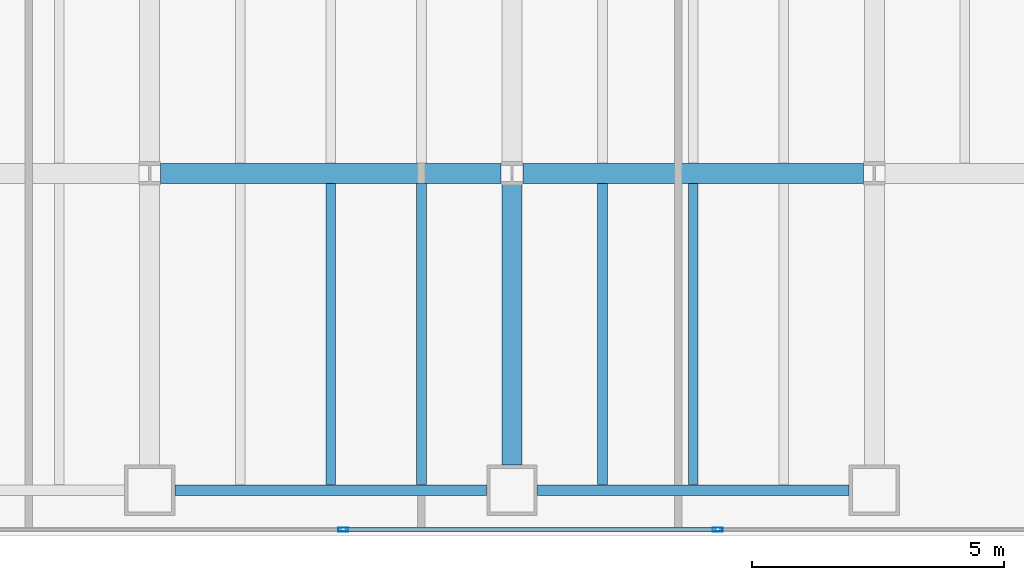
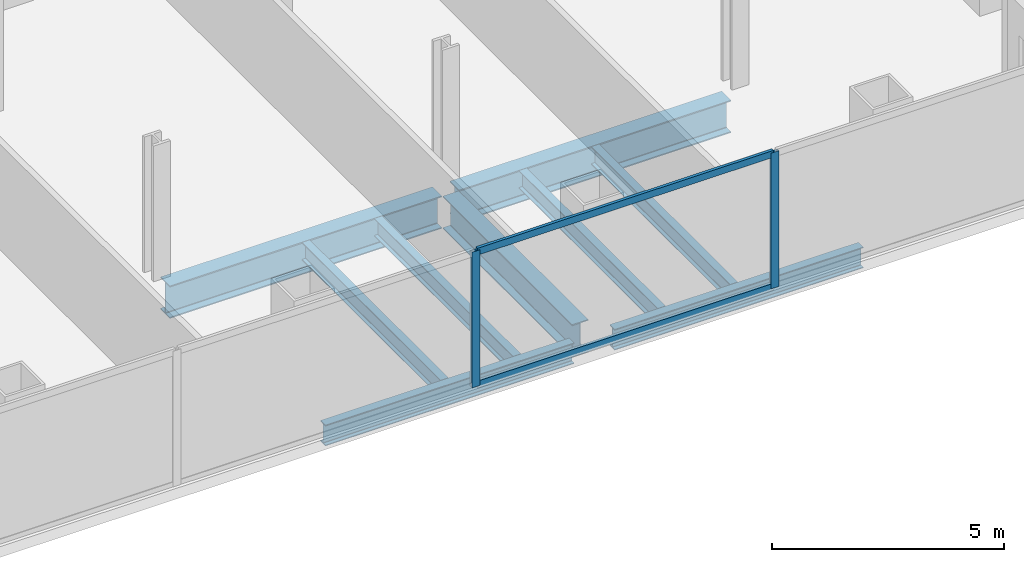
# One storey, part 7 of 23: 9 beams, 4 members, 1 element without a shape of its own.
"""IFC4 building model written with IfcOpenShell, lengths in metres."""

import ifcopenshell
import ifcopenshell.guid

model = None  # the IFC model being written
_history = None  # IfcOwnerHistory: only IFC2X3 demands one
_inside = {}  # id of a spatial element -> (the spatial element, [elements in it])
_under = {}  # id of a project, library or spatial element -> (it, [spatial elements below it])
_declared = {}  # id of a project -> (the project, [libraries it declares])
_typed = {}  # id of a type object -> (the type object, [elements of that type])
_made_of = {}  # id of a material, layer set ... -> (it, [elements and type objects made of it])


def new_model(schema):
    """Start an empty IFC model of exactly this schema.

    Asked for "IFC4X3", IfcOpenShell would pick the latest addendum, in which some entities
    have other attributes; the version numbers below select the first issue.
    IFC2X3 requires an IfcOwnerHistory on every rooted entity: one is made here for all.
    """
    global model, _history
    if schema == "IFC4X3":
        model = ifcopenshell.file(schema_version=(4, 3, 0, 0))
    else:
        model = ifcopenshell.file(schema=schema)
    _inside.clear()
    _under.clear()
    _declared.clear()
    _typed.clear()
    _made_of.clear()
    _history = None
    if model.schema == "IFC2X3":
        org = make("IfcOrganization", Name="unknown")
        user = make(
            "IfcPersonAndOrganization",
            ThePerson=make("IfcPerson", FamilyName="unknown"),
            TheOrganization=org,
        )
        app = make(
            "IfcApplication",
            ApplicationDeveloper=org,
            Version="unknown",
            ApplicationFullName="unknown",
            ApplicationIdentifier="unknown",
        )
        _history = make(
            "IfcOwnerHistory",
            OwningUser=user,
            OwningApplication=app,
            ChangeAction="ADDED",
            CreationDate=0,
        )
    return model


def make(cls, **values):
    """One entity of the class cls with the attributes given. An attribute that is None is left unset."""
    return model.create_entity(
        cls, **{name: value for name, value in values.items() if value is not None}
    )


def rooted(cls, **values):
    """An entity with a GlobalId (a new one), such as an element, a storey or a relation."""
    return make(cls, GlobalId=ifcopenshell.guid.new(), OwnerHistory=_history, **values)


def si_unit(unit_type, name, prefix=None):
    """IfcSIUnit, for example si_unit("LENGTHUNIT", "METRE", prefix="MILLI")."""
    return make("IfcSIUnit", UnitType=unit_type, Prefix=prefix, Name=name)


def assignment(units):
    """IfcUnitAssignment: the units of a project."""
    return None if units is None else make("IfcUnitAssignment", Units=units)


def point(xyz):
    """IfcCartesianPoint."""
    return None if xyz is None else make("IfcCartesianPoint", Coordinates=xyz)


def direction(xyz):
    """IfcDirection."""
    return None if xyz is None else make("IfcDirection", DirectionRatios=xyz)


def frame(location, z_axis=None, x_axis=None):
    """IfcAxis2Placement3D, a coordinate frame: its origin and axes. An axis left out is left unset."""
    return make(
        "IfcAxis2Placement3D",
        Location=point(location),
        Axis=direction(z_axis),
        RefDirection=direction(x_axis),
    )


def frame_2d(location, x_axis=None):
    """IfcAxis2Placement2D, a coordinate frame in the plane: its origin and x axis."""
    return make(
        "IfcAxis2Placement2D", Location=point(location), RefDirection=direction(x_axis)
    )


def origin():
    """The frame at (0, 0, 0) with its axes left unset."""
    return frame((0.0, 0.0, 0.0))


def origin_2d():
    """The frame at (0, 0) in the plane with its x axis left unset."""
    return frame_2d((0.0, 0.0))


def place(relative_to, where):
    """IfcLocalPlacement: puts the frame where relative to a parent placement (None: the world)."""
    return make(
        "IfcLocalPlacement", PlacementRelTo=relative_to, RelativePlacement=where
    )


def context(
    kind, dimensions, precision=None, world=None, true_north=None, identifier=None
):
    """IfcGeometricRepresentationContext, for example the 3D "Model" context."""
    return make(
        "IfcGeometricRepresentationContext",
        ContextIdentifier=identifier,
        ContextType=kind,
        CoordinateSpaceDimension=dimensions,
        Precision=precision,
        WorldCoordinateSystem=world,
        TrueNorth=true_north,
    )


def subcontext(parent, identifier, kind, view, scale=None):
    """IfcGeometricRepresentationSubContext, for example "Body" below "Model"."""
    return make(
        "IfcGeometricRepresentationSubContext",
        ContextIdentifier=identifier,
        ContextType=kind,
        ParentContext=parent,
        TargetScale=scale,
        TargetView=view,
    )


def project(units=None, contexts=None):
    """IfcProject with its units and contexts."""
    return rooted(
        "IfcProject",
        Name="project",
        RepresentationContexts=contexts,
        UnitsInContext=assignment(units),
    )


def spatial(cls, under=None, at=None, **own):
    """A site, building, storey or space (cls), placed at a placement, below another one or the project."""
    s = rooted(cls, ObjectPlacement=at, **own)
    if under is not None:
        _under.setdefault(under.id(), (under, []))[1].append(s)
    return s


def profile(cls, at=None, kind="AREA", **sizes):
    """A parametric profile (cls). Its sizes go by their IFC names, for example OverallWidth=200.0."""
    return make(cls, ProfileType=kind, Position=at, **sizes)


def hollow_rectangle(**sizes):
    """IfcRectangleHollowProfileDef."""
    return profile("IfcRectangleHollowProfileDef", **sizes)


def i_section(**sizes):
    """IfcIShapeProfileDef."""
    return profile("IfcIShapeProfileDef", **sizes)


def extrude(swept, where, along, depth):
    """IfcExtrudedAreaSolid: the profile swept, set in the frame where, extruded along a direction by depth."""
    return make(
        "IfcExtrudedAreaSolid",
        SweptArea=swept,
        Position=where,
        ExtrudedDirection=direction(along),
        Depth=depth,
    )


def shape(context_of_items, identifier, shape_type, items):
    """IfcShapeRepresentation: the items that make up one representation, for example the "Body"."""
    return make(
        "IfcShapeRepresentation",
        ContextOfItems=context_of_items,
        RepresentationIdentifier=identifier,
        RepresentationType=shape_type,
        Items=items,
    )


def material(Name=None, Category=None):
    """IfcMaterial."""
    return make("IfcMaterial", Name=Name, Category=Category)


def material_profile(
    of_material, cross_section, Name=None, Category=None, Priority=None
):
    """IfcMaterialProfile: a cross section and its material."""
    return make(
        "IfcMaterialProfile",
        Name=Name,
        Material=of_material,
        Profile=cross_section,
        Priority=Priority,
        Category=Category,
    )


def profile_set(profiles, Name=None, composite=None):
    """IfcMaterialProfileSet."""
    return make(
        "IfcMaterialProfileSet",
        Name=Name,
        MaterialProfiles=profiles,
        CompositeProfile=composite,
    )


def made_of(thing, what):
    """Note that an element or type object is made of a material, layer set ...; save() writes the relation."""
    if what is not None:
        _made_of.setdefault(what.id(), (what, []))[1].append(thing)
    return thing


def type_object(cls, material=None, **own):
    """A type object (cls), such as IfcWallType, which elements share."""
    return made_of(rooted(cls, **own), material)


def element(
    cls,
    number,
    at=None,
    inside=None,
    cuts=None,
    type_object=None,
    material=None,
    context=None,
    identifier="Body",
    shape_type=None,
    held_by="IfcProductDefinitionShape",
    body=None,
    shapes=None,
    **own,
):
    """One element of the class cls, such as IfcWall. Its Tag is "e" and its number.

    at: its placement. inside: the storey or other place that contains it. cuts: it is an
    opening in that element (IfcRelVoidsElement). A single representation is given by context,
    identifier, shape_type and body (its items); several are given by shapes. held_by: the class
    of the entity that holds the representations. save() writes the other relations.
    """
    e = rooted(cls, Tag="e%d" % number, ObjectPlacement=at, **own)
    if body is not None:
        shapes = [shape(context, identifier, shape_type, body)]
    if shapes is not None:
        e.Representation = make(held_by, Representations=shapes)
    if inside is not None:
        _inside.setdefault(inside.id(), (inside, []))[1].append(e)
    if cuts is not None:
        rooted(
            "IfcRelVoidsElement", RelatingBuildingElement=cuts, RelatedOpeningElement=e
        )
    if type_object is not None:
        _typed.setdefault(type_object.id(), (type_object, []))[1].append(e)
    return made_of(e, material)


def aggregate(whole, parts):
    """IfcRelAggregates: a whole, such as a stair, and the parts it consists of."""
    return rooted("IfcRelAggregates", RelatingObject=whole, RelatedObjects=parts)


def save(model, path):
    """Write the relations noted so far, then the file.

    IfcRelAggregates (storeys below a building ...), IfcRelContainedInSpatialStructure (elements
    in a storey), IfcRelDefinesByType, IfcRelAssociatesMaterial and IfcRelDeclares: one each for
    every whole, place, type object, material and project.
    """
    for whole, parts in _under.values():
        aggregate(whole, parts)
    for where, things in _inside.values():
        rooted(
            "IfcRelContainedInSpatialStructure",
            RelatedElements=things,
            RelatingStructure=where,
        )
    for kind, things in _typed.values():
        rooted("IfcRelDefinesByType", RelatedObjects=things, RelatingType=kind)
    for what, things in _made_of.values():
        rooted("IfcRelAssociatesMaterial", RelatedObjects=things, RelatingMaterial=what)
    for by, libraries in _declared.values():
        rooted("IfcRelDeclares", RelatingContext=by, RelatedDefinitions=libraries)
    model.write(path)


model = new_model("IFC4")

# Units and contexts
model_context = context("Model", 3, precision=1e-05, world=origin(), true_north=direction((0.0, 1.0)))
body_context = subcontext(model_context, "Body", "Model", "MODEL_VIEW")
ifc_project = project(units=[si_unit("LENGTHUNIT", "METRE"), si_unit("AREAUNIT", "SQUARE_METRE"), si_unit("VOLUMEUNIT", "CUBIC_METRE"), si_unit("PLANEANGLEUNIT", "RADIAN"), si_unit("MASSUNIT", "GRAM", prefix="KILO")], contexts=[model_context])

# Site, building, storey
site_placement = place(None, origin())
site = spatial("IfcSite", under=ifc_project, at=site_placement, CompositionType="ELEMENT")
building_placement = place(site_placement, origin())
building = spatial("IfcBuilding", under=site, at=building_placement, Name="Cobrela Telecom Tower", CompositionType="ELEMENT")
storey_placement = place(building_placement, frame((0.0, 0.0, 73.5)))
storey = spatial("IfcBuildingStorey", under=building, at=storey_placement, Name="L18", CompositionType="ELEMENT", Elevation=73.5)

# Beams
ifc_material_1 = material(Name="Steel ASTM A992 Grade 50", Category="steel")
ifc_material_profile_1 = material_profile(ifc_material_1, i_section(OverallWidth=0.39892578125, OverallDepth=0.85595703125, WebThickness=0.018310546875, FlangeThickness=0.029296875, FilletRadius=0.02001953125, at=origin_2d()), Name="W33X201")
ifc_profile_set_1 = profile_set([ifc_material_profile_1], Name="Steel ASTM A992 Grade 50")
beam_type_1 = type_object("IfcBeamType", Name="BM-GIRD-03", PredefinedType="USERDEFINED", material=ifc_profile_set_1)
for number, where, z_axis, x_axis, name in (
    (1, (29.01611328125, 7.199951171875, -0.7080078125), (1.0, 0.0, 0.0), (0.0, 1.0, 0.0), "L18 Primary Girder X10"),
    (2, (36.216064453125, 7.199951171875, -0.7080078125), (1.0, 0.0, 0.0), (0.0, 1.0, 0.0), "L18 Primary Girder X11"),
):
    element("IfcBeam", number, at=place(storey_placement, frame(where, z_axis=z_axis, x_axis=x_axis)), inside=storey, type_object=beam_type_1, Name=name, ObjectType="GIRDER", PredefinedType="USERDEFINED", context=body_context, shape_type="SweptSolid", body=[
        extrude(i_section(OverallWidth=0.39892578125, OverallDepth=0.85595703125, WebThickness=0.018310546875, FlangeThickness=0.029296875, FilletRadius=0.02001953125, at=origin_2d()), origin(), (0.0, 0.0, 1.0), 6.767822265625),
    ])
beam_placement = place(storey_placement, frame((36.0, 1.405029296875, -0.7080078125), z_axis=(0.0, 1.0, 0.0), x_axis=(-1.0, 0.0, 0.0)))
element("IfcBeam", 3, at=beam_placement, inside=storey, type_object=beam_type_1, Name="L18 Primary Girder Y50", ObjectType="GIRDER", PredefinedType="USERDEFINED", context=body_context, shape_type="SweptSolid", body=[
    extrude(i_section(OverallWidth=0.39892578125, OverallDepth=0.85595703125, WebThickness=0.018310546875, FlangeThickness=0.029296875, FilletRadius=0.02001953125, at=origin_2d()), origin(), (0.0, 0.0, 1.0), 5.578857421875),
])
ifc_material_profile_2 = material_profile(ifc_material_1, i_section(OverallWidth=0.193115234375, OverallDepth=0.467041015625, WebThickness=0.011474609375, FlangeThickness=0.01904296875, FilletRadius=0.012939453125, at=origin_2d()), Name="W18X65")
ifc_profile_set_2 = profile_set([ifc_material_profile_2], Name="Steel ASTM A992 Grade 50")
beam_type_2 = type_object("IfcBeamType", Name="BM-JOIST-03", PredefinedType="JOIST", material=ifc_profile_set_2)
for number, where, z_axis, x_axis, name in (
    (4, (32.39990234375, 1.011474609375, -0.513427734375), (0.0, 1.0, 0.0), (-1.0, 0.0, 0.0), "L18 Secondary Composite Floor Beam J44"),
    (5, (34.199951171875, 1.011474609375, -0.513427734375), (0.0, 1.0, 0.0), (-1.0, 0.0, 0.0), "L18 Secondary Composite Floor Beam J47"),
    (6, (37.800048828125, 1.011474609375, -0.513427734375), (0.0, 1.0, 0.0), (-1.0, 0.0, 0.0), "L18 Secondary Composite Floor Beam J50"),
    (7, (39.60009765625, 1.011474609375, -0.513427734375), (0.0, 1.0, 0.0), (-1.0, 0.0, 0.0), "L18 Secondary Composite Floor Beam J53"),
):
    element("IfcBeam", number, at=place(storey_placement, frame(where, z_axis=z_axis, x_axis=x_axis)), inside=storey, type_object=beam_type_2, Name=name, PredefinedType="JOIST", context=body_context, shape_type="SweptSolid", body=[
        extrude(i_section(OverallWidth=0.193115234375, OverallDepth=0.467041015625, WebThickness=0.011474609375, FlangeThickness=0.01904296875, FilletRadius=0.012939453125, at=origin_2d()), origin(), (0.0, 0.0, 1.0), 5.984130859375),
    ])
ifc_material_profile_3 = material_profile(ifc_material_1, i_section(OverallWidth=0.212890625, OverallDepth=0.549072265625, WebThickness=0.0146484375, FlangeThickness=0.023681640625, FilletRadius=0.013916015625, at=origin_2d()), Name="W21X93")
ifc_profile_set_3 = profile_set([ifc_material_profile_3], Name="Steel ASTM A992 Grade 50")
beam_type_3 = type_object("IfcBeamType", Name="BM-SPAND-03", PredefinedType="SPANDREL", material=ifc_profile_set_3)
for number, where, z_axis, x_axis, name in (
    (8, (29.304931640625, 0.89990234375, -0.554443359375), (1.0, 0.0, 0.0), (0.0, 1.0, 0.0), "L18 Perimeter Spandrel X04"),
    (9, (36.5048828125, 0.89990234375, -0.554443359375), (1.0, 0.0, 0.0), (0.0, 1.0, 0.0), "L18 Perimeter Spandrel X05"),
):
    element("IfcBeam", number, at=place(storey_placement, frame(where, z_axis=z_axis, x_axis=x_axis)), inside=storey, type_object=beam_type_3, Name=name, PredefinedType="SPANDREL", context=body_context, shape_type="SweptSolid", body=[
        extrude(i_section(OverallWidth=0.212890625, OverallDepth=0.549072265625, WebThickness=0.0146484375, FlangeThickness=0.023681640625, FilletRadius=0.013916015625, at=origin_2d()), origin(), (0.0, 0.0, 1.0), 6.190185546875),
    ])

# Curtain wall, members
ifc_material_2 = material(Name="Anodized Bronze Aluminium 6063-T6", Category="aluminium")
curtain_wall_type = type_object("IfcCurtainWallType", Name="CW-SYS-DATA", PredefinedType="USERDEFINED", material=ifc_material_2)
curtain_wall_placement = place(storey_placement, origin())
curtain_wall = element("IfcCurtainWall", 10, at=curtain_wall_placement, inside=storey, type_object=curtain_wall_type, Name="L18 Unitised Bronze Curtain Wall 17", ObjectType="UNITISED CURTAIN WALL", PredefinedType="USERDEFINED")
ifc_material_profile_4 = material_profile(ifc_material_2, hollow_rectangle(XDim=0.080078125, YDim=0.199951171875, WallThickness=0.00390625, at=origin_2d()), Name="ALU 80x200x4")
ifc_profile_set_4 = profile_set([ifc_material_profile_4], Name="Anodized Bronze Aluminium 6063-T6")
member_type_1 = type_object("IfcMemberType", Name="CW-SYS-DATA-MUL", PredefinedType="MULLION", material=ifc_profile_set_4)
member_1_placement = place(storey_placement, frame((40.086669921875, 0.1201171875, 0.0), z_axis=(0.0, 0.0, 1.0), x_axis=(0.0, -1.0, 0.0)))
member_1 = element("IfcMember", 11, at=member_1_placement, type_object=member_type_1, Name="CW-DATA mullion 2", PredefinedType="MULLION", context=body_context, shape_type="SweptSolid", body=[
    extrude(hollow_rectangle(XDim=0.080078125, YDim=0.199951171875, WallThickness=0.00390625, at=origin_2d()), origin(), (0.0, 0.0, 1.0), 3.570068359375),
])
member_2_placement = place(storey_placement, frame((32.643310546875, 0.1201171875, 0.0), z_axis=(0.0, 0.0, 1.0), x_axis=(0.0, -1.0, 0.0)))
member_2 = element("IfcMember", 12, at=member_2_placement, type_object=member_type_1, Name="CW-DATA mullion 3", PredefinedType="MULLION", context=body_context, shape_type="SweptSolid", body=[
    extrude(hollow_rectangle(XDim=0.080078125, YDim=0.199951171875, WallThickness=0.00390625, at=origin_2d()), origin(), (0.0, 0.0, 1.0), 3.570068359375),
])
ifc_material_profile_5 = material_profile(ifc_material_2, hollow_rectangle(XDim=0.074951171875, YDim=0.179931640625, WallThickness=0.00390625, at=origin_2d()), Name="ALU 75x180x4")
ifc_profile_set_5 = profile_set([ifc_material_profile_5], Name="Anodized Bronze Aluminium 6063-T6")
member_type_2 = type_object("IfcMemberType", Name="CW-SYS-DATA-TRN", PredefinedType="USERDEFINED", material=ifc_profile_set_5)
member_3_placement = place(storey_placement, frame((40.046630859375, 0.1201171875, 0.03759765625), z_axis=(-1.0, 0.0, 0.0), x_axis=(0.0, -1.0, 0.0)))
member_3 = element("IfcMember", 13, at=member_3_placement, type_object=member_type_2, Name="CW-DATA transom 2.1", ObjectType="TRANSOM", PredefinedType="USERDEFINED", context=body_context, shape_type="SweptSolid", body=[
    extrude(hollow_rectangle(XDim=0.074951171875, YDim=0.179931640625, WallThickness=0.00390625, at=origin_2d()), origin(), (0.0, 0.0, 1.0), 7.36328125),
])
member_4_placement = place(storey_placement, frame((40.046630859375, 0.1201171875, 3.532470703125), z_axis=(-1.0, 0.0, 0.0), x_axis=(0.0, -1.0, 0.0)))
member_4 = element("IfcMember", 14, at=member_4_placement, type_object=member_type_2, Name="CW-DATA transom 2.2", ObjectType="TRANSOM", PredefinedType="USERDEFINED", context=body_context, shape_type="SweptSolid", body=[
    extrude(hollow_rectangle(XDim=0.074951171875, YDim=0.179931640625, WallThickness=0.00390625, at=origin_2d()), origin(), (0.0, 0.0, 1.0), 7.36328125),
])
aggregate(curtain_wall, [member_1, member_2, member_3, member_4])

save(model, "model.ifc")
